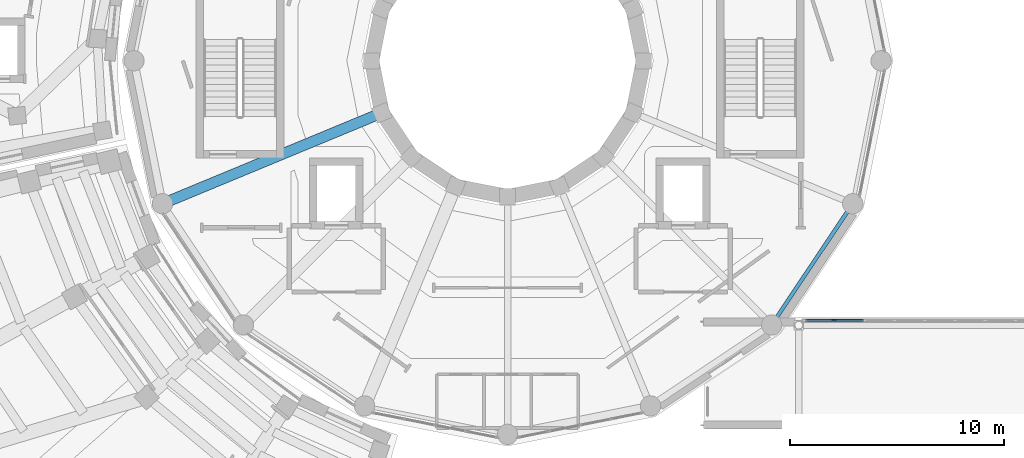
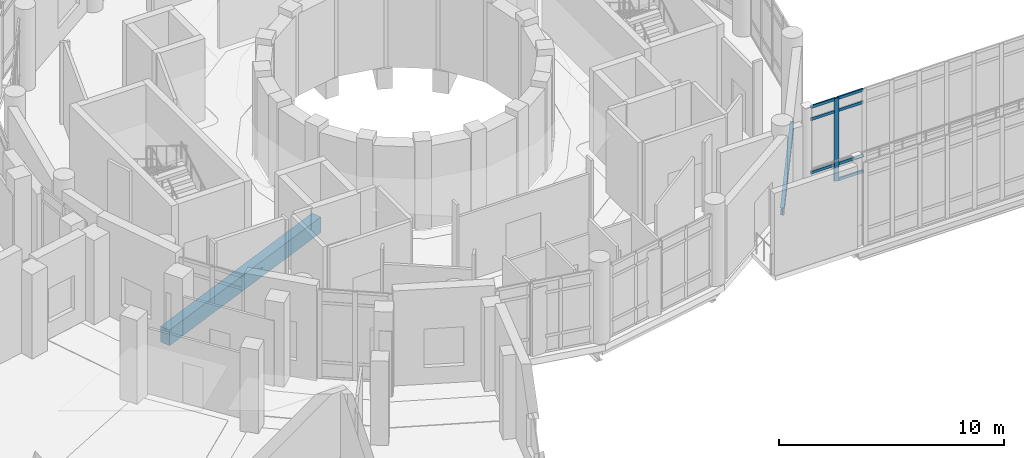
# One storey, part 14 of 89: 8 members, 2 beams, 1 element without a shape of its own.
"""IFC4 building model written with IfcOpenShell, lengths in metres."""

import ifcopenshell
import ifcopenshell.guid

model = None  # the IFC model being written
_history = None  # IfcOwnerHistory: only IFC2X3 demands one
_inside = {}  # id of a spatial element -> (the spatial element, [elements in it])
_under = {}  # id of a project, library or spatial element -> (it, [spatial elements below it])
_declared = {}  # id of a project -> (the project, [libraries it declares])
_typed = {}  # id of a type object -> (the type object, [elements of that type])
_made_of = {}  # id of a material, layer set ... -> (it, [elements and type objects made of it])


def new_model(schema):
    """Start an empty IFC model of exactly this schema.

    Asked for "IFC4X3", IfcOpenShell would pick the latest addendum, in which some entities
    have other attributes; the version numbers below select the first issue.
    IFC2X3 requires an IfcOwnerHistory on every rooted entity: one is made here for all.
    """
    global model, _history
    if schema == "IFC4X3":
        model = ifcopenshell.file(schema_version=(4, 3, 0, 0))
    else:
        model = ifcopenshell.file(schema=schema)
    _inside.clear()
    _under.clear()
    _declared.clear()
    _typed.clear()
    _made_of.clear()
    _history = None
    if model.schema == "IFC2X3":
        org = make("IfcOrganization", Name="unknown")
        user = make(
            "IfcPersonAndOrganization",
            ThePerson=make("IfcPerson", FamilyName="unknown"),
            TheOrganization=org,
        )
        app = make(
            "IfcApplication",
            ApplicationDeveloper=org,
            Version="unknown",
            ApplicationFullName="unknown",
            ApplicationIdentifier="unknown",
        )
        _history = make(
            "IfcOwnerHistory",
            OwningUser=user,
            OwningApplication=app,
            ChangeAction="ADDED",
            CreationDate=0,
        )
    return model


def make(cls, **values):
    """One entity of the class cls with the attributes given. An attribute that is None is left unset."""
    return model.create_entity(
        cls, **{name: value for name, value in values.items() if value is not None}
    )


def rooted(cls, **values):
    """An entity with a GlobalId (a new one), such as an element, a storey or a relation."""
    return make(cls, GlobalId=ifcopenshell.guid.new(), OwnerHistory=_history, **values)


def si_unit(unit_type, name, prefix=None):
    """IfcSIUnit, for example si_unit("LENGTHUNIT", "METRE", prefix="MILLI")."""
    return make("IfcSIUnit", UnitType=unit_type, Prefix=prefix, Name=name)


def assignment(units):
    """IfcUnitAssignment: the units of a project."""
    return None if units is None else make("IfcUnitAssignment", Units=units)


def point(xyz):
    """IfcCartesianPoint."""
    return None if xyz is None else make("IfcCartesianPoint", Coordinates=xyz)


def direction(xyz):
    """IfcDirection."""
    return None if xyz is None else make("IfcDirection", DirectionRatios=xyz)


def frame(location, z_axis=None, x_axis=None):
    """IfcAxis2Placement3D, a coordinate frame: its origin and axes. An axis left out is left unset."""
    return make(
        "IfcAxis2Placement3D",
        Location=point(location),
        Axis=direction(z_axis),
        RefDirection=direction(x_axis),
    )


def frame_2d(location, x_axis=None):
    """IfcAxis2Placement2D, a coordinate frame in the plane: its origin and x axis."""
    return make(
        "IfcAxis2Placement2D", Location=point(location), RefDirection=direction(x_axis)
    )


def origin():
    """The frame at (0, 0, 0) with its axes left unset."""
    return frame((0.0, 0.0, 0.0))


def origin_2d():
    """The frame at (0, 0) in the plane with its x axis left unset."""
    return frame_2d((0.0, 0.0))


def place(relative_to, where):
    """IfcLocalPlacement: puts the frame where relative to a parent placement (None: the world)."""
    return make(
        "IfcLocalPlacement", PlacementRelTo=relative_to, RelativePlacement=where
    )


def context(
    kind, dimensions, precision=None, world=None, true_north=None, identifier=None
):
    """IfcGeometricRepresentationContext, for example the 3D "Model" context."""
    return make(
        "IfcGeometricRepresentationContext",
        ContextIdentifier=identifier,
        ContextType=kind,
        CoordinateSpaceDimension=dimensions,
        Precision=precision,
        WorldCoordinateSystem=world,
        TrueNorth=true_north,
    )


def subcontext(parent, identifier, kind, view, scale=None):
    """IfcGeometricRepresentationSubContext, for example "Body" below "Model"."""
    return make(
        "IfcGeometricRepresentationSubContext",
        ContextIdentifier=identifier,
        ContextType=kind,
        ParentContext=parent,
        TargetScale=scale,
        TargetView=view,
    )


def project(units=None, contexts=None):
    """IfcProject with its units and contexts."""
    return rooted(
        "IfcProject",
        Name="project",
        RepresentationContexts=contexts,
        UnitsInContext=assignment(units),
    )


def spatial(cls, under=None, at=None, **own):
    """A site, building, storey or space (cls), placed at a placement, below another one or the project."""
    s = rooted(cls, ObjectPlacement=at, **own)
    if under is not None:
        _under.setdefault(under.id(), (under, []))[1].append(s)
    return s


def profile(cls, at=None, kind="AREA", **sizes):
    """A parametric profile (cls). Its sizes go by their IFC names, for example OverallWidth=200.0."""
    return make(cls, ProfileType=kind, Position=at, **sizes)


def rectangle(**sizes):
    """IfcRectangleProfileDef."""
    return profile("IfcRectangleProfileDef", **sizes)


def i_section(**sizes):
    """IfcIShapeProfileDef."""
    return profile("IfcIShapeProfileDef", **sizes)


def extrude(swept, where, along, depth):
    """IfcExtrudedAreaSolid: the profile swept, set in the frame where, extruded along a direction by depth."""
    return make(
        "IfcExtrudedAreaSolid",
        SweptArea=swept,
        Position=where,
        ExtrudedDirection=direction(along),
        Depth=depth,
    )


def shape(context_of_items, identifier, shape_type, items):
    """IfcShapeRepresentation: the items that make up one representation, for example the "Body"."""
    return make(
        "IfcShapeRepresentation",
        ContextOfItems=context_of_items,
        RepresentationIdentifier=identifier,
        RepresentationType=shape_type,
        Items=items,
    )


def material(Name=None, Category=None):
    """IfcMaterial."""
    return make("IfcMaterial", Name=Name, Category=Category)


def material_profile(
    of_material, cross_section, Name=None, Category=None, Priority=None
):
    """IfcMaterialProfile: a cross section and its material."""
    return make(
        "IfcMaterialProfile",
        Name=Name,
        Material=of_material,
        Profile=cross_section,
        Priority=Priority,
        Category=Category,
    )


def profile_set(profiles, Name=None, composite=None):
    """IfcMaterialProfileSet."""
    return make(
        "IfcMaterialProfileSet",
        Name=Name,
        MaterialProfiles=profiles,
        CompositeProfile=composite,
    )


def made_of(thing, what):
    """Note that an element or type object is made of a material, layer set ...; save() writes the relation."""
    if what is not None:
        _made_of.setdefault(what.id(), (what, []))[1].append(thing)
    return thing


def type_object(cls, material=None, **own):
    """A type object (cls), such as IfcWallType, which elements share."""
    return made_of(rooted(cls, **own), material)


def element(
    cls,
    number,
    at=None,
    inside=None,
    cuts=None,
    type_object=None,
    material=None,
    context=None,
    identifier="Body",
    shape_type=None,
    held_by="IfcProductDefinitionShape",
    body=None,
    shapes=None,
    **own,
):
    """One element of the class cls, such as IfcWall. Its Tag is "e" and its number.

    at: its placement. inside: the storey or other place that contains it. cuts: it is an
    opening in that element (IfcRelVoidsElement). A single representation is given by context,
    identifier, shape_type and body (its items); several are given by shapes. held_by: the class
    of the entity that holds the representations. save() writes the other relations.
    """
    e = rooted(cls, Tag="e%d" % number, ObjectPlacement=at, **own)
    if body is not None:
        shapes = [shape(context, identifier, shape_type, body)]
    if shapes is not None:
        e.Representation = make(held_by, Representations=shapes)
    if inside is not None:
        _inside.setdefault(inside.id(), (inside, []))[1].append(e)
    if cuts is not None:
        rooted(
            "IfcRelVoidsElement", RelatingBuildingElement=cuts, RelatedOpeningElement=e
        )
    if type_object is not None:
        _typed.setdefault(type_object.id(), (type_object, []))[1].append(e)
    return made_of(e, material)


def aggregate(whole, parts):
    """IfcRelAggregates: a whole, such as a stair, and the parts it consists of."""
    return rooted("IfcRelAggregates", RelatingObject=whole, RelatedObjects=parts)


def save(model, path):
    """Write the relations noted so far, then the file.

    IfcRelAggregates (storeys below a building ...), IfcRelContainedInSpatialStructure (elements
    in a storey), IfcRelDefinesByType, IfcRelAssociatesMaterial and IfcRelDeclares: one each for
    every whole, place, type object, material and project.
    """
    for whole, parts in _under.values():
        aggregate(whole, parts)
    for where, things in _inside.values():
        rooted(
            "IfcRelContainedInSpatialStructure",
            RelatedElements=things,
            RelatingStructure=where,
        )
    for kind, things in _typed.values():
        rooted("IfcRelDefinesByType", RelatedObjects=things, RelatingType=kind)
    for what, things in _made_of.values():
        rooted("IfcRelAssociatesMaterial", RelatedObjects=things, RelatingMaterial=what)
    for by, libraries in _declared.values():
        rooted("IfcRelDeclares", RelatingContext=by, RelatedDefinitions=libraries)
    model.write(path)


model = new_model("IFC4")

# Units and contexts
model_context = context("Model", 3, precision=1e-05, world=origin(), true_north=direction((0.0, 1.0)))
body_context = subcontext(model_context, "Body", "Model", "MODEL_VIEW")
ifc_project = project(units=[si_unit("LENGTHUNIT", "METRE"), si_unit("AREAUNIT", "SQUARE_METRE"), si_unit("VOLUMEUNIT", "CUBIC_METRE"), si_unit("PLANEANGLEUNIT", "RADIAN"), si_unit("MASSUNIT", "GRAM", prefix="KILO")], contexts=[model_context])

# Site, building, storey
site_placement = place(None, origin())
site = spatial("IfcSite", under=ifc_project, at=site_placement, CompositionType="ELEMENT")
building_placement = place(site_placement, origin())
building = spatial("IfcBuilding", under=site, at=building_placement, Name="Soyqirgoq Riverine Aquarium", CompositionType="ELEMENT")
storey_placement = place(building_placement, frame((0.0, 0.0, 5.39990234375)))
storey = spatial("IfcBuildingStorey", under=building, at=storey_placement, Name="L02", CompositionType="ELEMENT", Elevation=5.39990234375)

# Curtain wall, members
ifc_material_1 = material(Name="Laminated solar-control bridge curtain wall", Category="aluminium")
curtain_wall_type = type_object("IfcCurtainWallType", Name="CW_Bridge_Concourse", PredefinedType="NOTDEFINED", material=ifc_material_1)
curtain_wall_placement = place(storey_placement, origin())
curtain_wall = element("IfcCurtainWall", 1, at=curtain_wall_placement, inside=storey, type_object=curtain_wall_type, Name="BR-1 L02 Curtain Wall 138", PredefinedType="NOTDEFINED")
ifc_material_2 = material(Name="Anodised aluminium 6063-T6", Category="aluminium")
ifc_material_profile_1 = material_profile(ifc_material_2, rectangle(XDim=0.080078125, YDim=0.219970703125, at=origin_2d()), Name="ALU-M 80x220")
ifc_profile_set_1 = profile_set([ifc_material_profile_1], Name="Anodised aluminium 6063-T6")
member_type_1 = type_object("IfcMemberType", Name="CWMullion_80x220", PredefinedType="MULLION", material=ifc_profile_set_1)
member_1_placement = place(storey_placement, frame((71.251953125, 44.8798828125, 0.0), z_axis=(0.0, 0.0, 1.0), x_axis=(0.0, 1.0, 0.0)))
member_1 = element("IfcMember", 2, at=member_1_placement, type_object=member_type_1, Name="CW-06 mullion 2", PredefinedType="MULLION", context=body_context, shape_type="SweptSolid", body=[
    extrude(rectangle(XDim=0.080078125, YDim=0.219970703125, at=origin_2d()), origin(), (0.0, 0.0, 1.0), 4.5),
])
ifc_material_3 = material(Name="Anodised aluminium 6063-T6", Category="aluminium")
ifc_material_profile_2 = material_profile(ifc_material_3, rectangle(XDim=0.074951171875, YDim=0.14990234375, at=origin_2d()), Name="ALU-T 75x150")
ifc_profile_set_2 = profile_set([ifc_material_profile_2], Name="Anodised aluminium 6063-T6")
member_type_2 = type_object("IfcMemberType", Name="CWTransom_75x150", PredefinedType="USERDEFINED", material=ifc_profile_set_2)
member_2_placement = place(storey_placement, frame((69.919921875, 44.8798828125, 0.900146484375), z_axis=(1.0, 0.0, 0.0), x_axis=(0.0, 1.0, 0.0)))
member_2 = element("IfcMember", 3, at=member_2_placement, type_object=member_type_2, Name="CW-06 transom 1.2", ObjectType="TRANSOM", PredefinedType="USERDEFINED", context=body_context, shape_type="SweptSolid", body=[
    extrude(rectangle(XDim=0.074951171875, YDim=0.14990234375, at=origin_2d()), origin(), (0.0, 0.0, 1.0), 1.2919921875),
])
member_3_placement = place(storey_placement, frame((69.919921875, 44.8798828125, 3.800048828125), z_axis=(1.0, 0.0, 0.0), x_axis=(0.0, 1.0, 0.0)))
member_3 = element("IfcMember", 4, at=member_3_placement, type_object=member_type_2, Name="CW-06 transom 1.3", ObjectType="TRANSOM", PredefinedType="USERDEFINED", context=body_context, shape_type="SweptSolid", body=[
    extrude(rectangle(XDim=0.074951171875, YDim=0.14990234375, at=origin_2d()), origin(), (0.0, 0.0, 1.0), 1.2919921875),
])
member_4_placement = place(storey_placement, frame((69.919921875, 44.8798828125, 4.462646484375), z_axis=(1.0, 0.0, 0.0), x_axis=(0.0, 1.0, 0.0)))
member_4 = element("IfcMember", 5, at=member_4_placement, type_object=member_type_2, Name="CW-06 transom 1.4", ObjectType="TRANSOM", PredefinedType="USERDEFINED", context=body_context, shape_type="SweptSolid", body=[
    extrude(rectangle(XDim=0.074951171875, YDim=0.14990234375, at=origin_2d()), origin(), (0.0, 0.0, 1.0), 1.2919921875),
])
member_5_placement = place(storey_placement, frame((71.2919921875, 44.8798828125, 0.03759765625), z_axis=(1.0, 0.0, 0.0), x_axis=(0.0, 1.0, 0.0)))
member_5 = element("IfcMember", 6, at=member_5_placement, type_object=member_type_2, Name="CW-06 transom 2.1", ObjectType="TRANSOM", PredefinedType="USERDEFINED", context=body_context, shape_type="SweptSolid", body=[
    extrude(rectangle(XDim=0.074951171875, YDim=0.14990234375, at=origin_2d()), origin(), (0.0, 0.0, 1.0), 1.33203125),
])
member_6_placement = place(storey_placement, frame((71.2919921875, 44.8798828125, 0.900146484375), z_axis=(1.0, 0.0, 0.0), x_axis=(0.0, 1.0, 0.0)))
member_6 = element("IfcMember", 7, at=member_6_placement, type_object=member_type_2, Name="CW-06 transom 2.2", ObjectType="TRANSOM", PredefinedType="USERDEFINED", context=body_context, shape_type="SweptSolid", body=[
    extrude(rectangle(XDim=0.074951171875, YDim=0.14990234375, at=origin_2d()), origin(), (0.0, 0.0, 1.0), 1.33203125),
])
member_7_placement = place(storey_placement, frame((71.2919921875, 44.8798828125, 3.800048828125), z_axis=(1.0, 0.0, 0.0), x_axis=(0.0, 1.0, 0.0)))
member_7 = element("IfcMember", 8, at=member_7_placement, type_object=member_type_2, Name="CW-06 transom 2.3", ObjectType="TRANSOM", PredefinedType="USERDEFINED", context=body_context, shape_type="SweptSolid", body=[
    extrude(rectangle(XDim=0.074951171875, YDim=0.14990234375, at=origin_2d()), origin(), (0.0, 0.0, 1.0), 1.33203125),
])
member_8_placement = place(storey_placement, frame((71.2919921875, 44.8798828125, 4.462646484375), z_axis=(1.0, 0.0, 0.0), x_axis=(0.0, 1.0, 0.0)))
member_8 = element("IfcMember", 9, at=member_8_placement, type_object=member_type_2, Name="CW-06 transom 2.4", ObjectType="TRANSOM", PredefinedType="USERDEFINED", context=body_context, shape_type="SweptSolid", body=[
    extrude(rectangle(XDim=0.074951171875, YDim=0.14990234375, at=origin_2d()), origin(), (0.0, 0.0, 1.0), 1.33203125),
])
aggregate(curtain_wall, [member_1, member_2, member_3, member_4, member_5, member_6, member_7, member_8])

# Beams
ifc_material_4 = material(Name="Concrete C40/50", Category="concrete")
ifc_material_profile_3 = material_profile(ifc_material_4, rectangle(XDim=0.5, YDim=0.85009765625, at=origin_2d()), Name="RC 500x850")
ifc_profile_set_3 = profile_set([ifc_material_profile_3], Name="Concrete C40/50")
beam_type_1 = type_object("IfcBeamType", Name="Girder_RC_500x850", PredefinedType="BEAM", material=ifc_profile_set_3)
beam_1_placement = place(storey_placement, frame((50.124267578125, 54.566162109375, -0.77490234375), z_axis=(-0.923879335189, -0.382683908742, 0.0), x_axis=(0.382683908742, -0.923879335189, 0.0)))
element("IfcBeam", 10, at=beam_1_placement, inside=storey, type_object=beam_type_1, Name="V1 L02 Gallery Radial Beam 0048", PredefinedType="BEAM", context=body_context, shape_type="SweptSolid", body=[
    extrude(rectangle(XDim=0.5, YDim=0.85009765625, at=origin_2d()), origin(), (0.0, 0.0, 1.0), 11.080322265625),
])
ifc_material_5 = material(Name="Structural steel S355", Category="steel")
ifc_material_profile_4 = material_profile(ifc_material_5, i_section(OverallWidth=0.179931640625, OverallDepth=0.39990234375, WebThickness=0.008544921875, FlangeThickness=0.013427734375, FilletRadius=0.02099609375, at=origin_2d()), Name="IPE 400")
ifc_profile_set_4 = profile_set([ifc_material_profile_4], Name="Structural steel S355")
beam_type_2 = type_object("IfcBeamType", Name="Spandrel_Steel_IPE400", PredefinedType="SPANDREL", material=ifc_profile_set_4)
beam_2_placement = place(storey_placement, frame((68.35009765625, 44.677490234375, -0.5498046875), z_axis=(0.555557213186, 0.83147831173, 0.0), x_axis=(-0.83147831173, 0.555557213186, 0.0)))
element("IfcBeam", 11, at=beam_2_placement, inside=storey, type_object=beam_type_2, Name="V1 L02 Drum Spandrel Beam 0057", PredefinedType="SPANDREL", context=body_context, shape_type="SweptSolid", body=[
    extrude(i_section(OverallWidth=0.179931640625, OverallDepth=0.39990234375, WebThickness=0.008544921875, FlangeThickness=0.013427734375, FilletRadius=0.02099609375, at=origin_2d()), origin(), (0.0, 0.0, 1.0), 6.768798828125),
])

save(model, "model.ifc")
